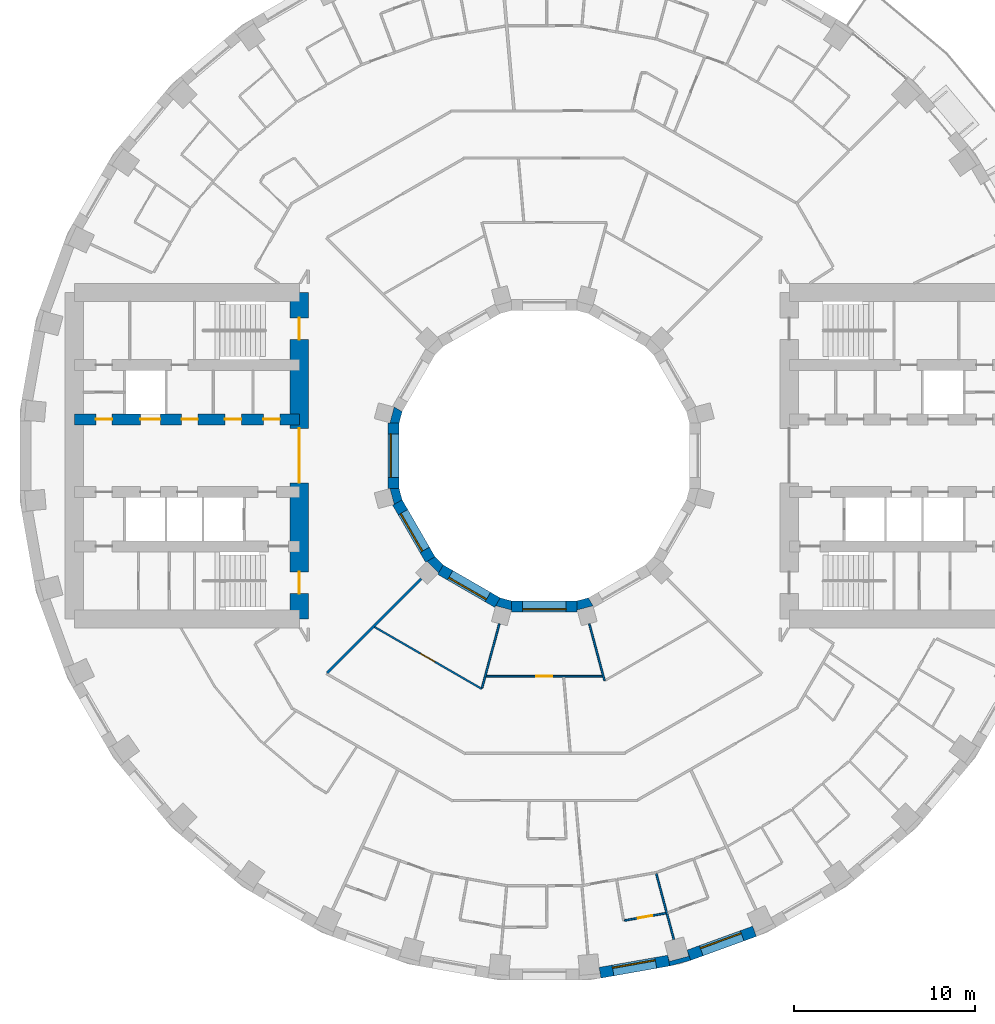
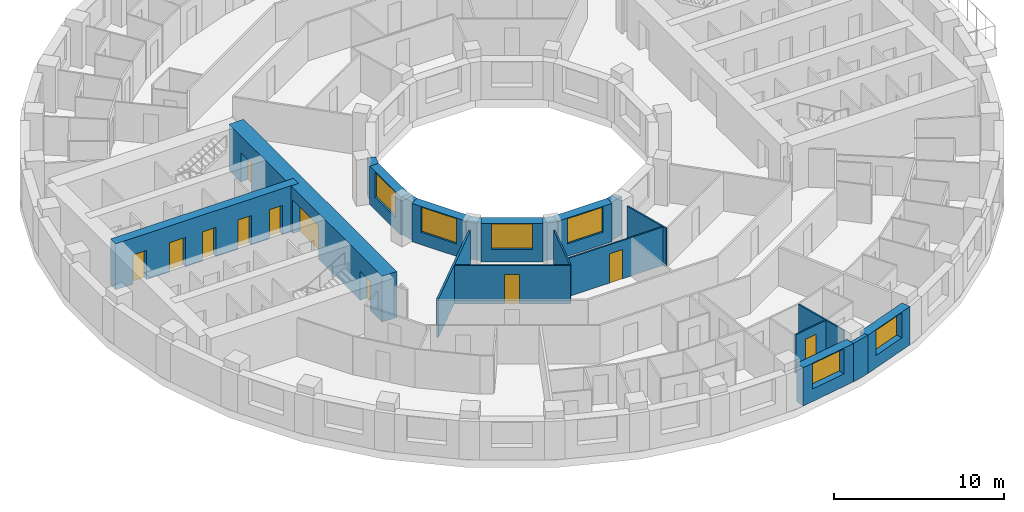
# One storey, part 6 of 15: 21 walls, 11 doors, 6 windows, 17 openings.
"""IFC4 building model written with IfcOpenShell, lengths in metres."""

import ifcopenshell
import ifcopenshell.guid

model = None  # the IFC model being written
_history = None  # IfcOwnerHistory: only IFC2X3 demands one
_inside = {}  # id of a spatial element -> (the spatial element, [elements in it])
_under = {}  # id of a project, library or spatial element -> (it, [spatial elements below it])
_declared = {}  # id of a project -> (the project, [libraries it declares])
_typed = {}  # id of a type object -> (the type object, [elements of that type])
_made_of = {}  # id of a material, layer set ... -> (it, [elements and type objects made of it])


def new_model(schema):
    """Start an empty IFC model of exactly this schema.

    Asked for "IFC4X3", IfcOpenShell would pick the latest addendum, in which some entities
    have other attributes; the version numbers below select the first issue.
    IFC2X3 requires an IfcOwnerHistory on every rooted entity: one is made here for all.
    """
    global model, _history
    if schema == "IFC4X3":
        model = ifcopenshell.file(schema_version=(4, 3, 0, 0))
    else:
        model = ifcopenshell.file(schema=schema)
    _inside.clear()
    _under.clear()
    _declared.clear()
    _typed.clear()
    _made_of.clear()
    _history = None
    if model.schema == "IFC2X3":
        org = make("IfcOrganization", Name="unknown")
        user = make(
            "IfcPersonAndOrganization",
            ThePerson=make("IfcPerson", FamilyName="unknown"),
            TheOrganization=org,
        )
        app = make(
            "IfcApplication",
            ApplicationDeveloper=org,
            Version="unknown",
            ApplicationFullName="unknown",
            ApplicationIdentifier="unknown",
        )
        _history = make(
            "IfcOwnerHistory",
            OwningUser=user,
            OwningApplication=app,
            ChangeAction="ADDED",
            CreationDate=0,
        )
    return model


def make(cls, **values):
    """One entity of the class cls with the attributes given. An attribute that is None is left unset."""
    return model.create_entity(
        cls, **{name: value for name, value in values.items() if value is not None}
    )


def rooted(cls, **values):
    """An entity with a GlobalId (a new one), such as an element, a storey or a relation."""
    return make(cls, GlobalId=ifcopenshell.guid.new(), OwnerHistory=_history, **values)


def si_unit(unit_type, name, prefix=None):
    """IfcSIUnit, for example si_unit("LENGTHUNIT", "METRE", prefix="MILLI")."""
    return make("IfcSIUnit", UnitType=unit_type, Prefix=prefix, Name=name)


def assignment(units):
    """IfcUnitAssignment: the units of a project."""
    return None if units is None else make("IfcUnitAssignment", Units=units)


def point(xyz):
    """IfcCartesianPoint."""
    return None if xyz is None else make("IfcCartesianPoint", Coordinates=xyz)


def direction(xyz):
    """IfcDirection."""
    return None if xyz is None else make("IfcDirection", DirectionRatios=xyz)


def frame(location, z_axis=None, x_axis=None):
    """IfcAxis2Placement3D, a coordinate frame: its origin and axes. An axis left out is left unset."""
    return make(
        "IfcAxis2Placement3D",
        Location=point(location),
        Axis=direction(z_axis),
        RefDirection=direction(x_axis),
    )


def frame_2d(location, x_axis=None):
    """IfcAxis2Placement2D, a coordinate frame in the plane: its origin and x axis."""
    return make(
        "IfcAxis2Placement2D", Location=point(location), RefDirection=direction(x_axis)
    )


def origin():
    """The frame at (0, 0, 0) with its axes left unset."""
    return frame((0.0, 0.0, 0.0))


def place(relative_to, where):
    """IfcLocalPlacement: puts the frame where relative to a parent placement (None: the world)."""
    return make(
        "IfcLocalPlacement", PlacementRelTo=relative_to, RelativePlacement=where
    )


def context(
    kind, dimensions, precision=None, world=None, true_north=None, identifier=None
):
    """IfcGeometricRepresentationContext, for example the 3D "Model" context."""
    return make(
        "IfcGeometricRepresentationContext",
        ContextIdentifier=identifier,
        ContextType=kind,
        CoordinateSpaceDimension=dimensions,
        Precision=precision,
        WorldCoordinateSystem=world,
        TrueNorth=true_north,
    )


def subcontext(parent, identifier, kind, view, scale=None):
    """IfcGeometricRepresentationSubContext, for example "Body" below "Model"."""
    return make(
        "IfcGeometricRepresentationSubContext",
        ContextIdentifier=identifier,
        ContextType=kind,
        ParentContext=parent,
        TargetScale=scale,
        TargetView=view,
    )


def project(units=None, contexts=None):
    """IfcProject with its units and contexts."""
    return rooted(
        "IfcProject",
        Name="project",
        RepresentationContexts=contexts,
        UnitsInContext=assignment(units),
    )


def spatial(cls, under=None, at=None, **own):
    """A site, building, storey or space (cls), placed at a placement, below another one or the project."""
    s = rooted(cls, ObjectPlacement=at, **own)
    if under is not None:
        _under.setdefault(under.id(), (under, []))[1].append(s)
    return s


def polyline(points):
    """IfcPolyline through the points."""
    return make("IfcPolyline", Points=[point(p) for p in points])


def profile(cls, at=None, kind="AREA", **sizes):
    """A parametric profile (cls). Its sizes go by their IFC names, for example OverallWidth=200.0."""
    return make(cls, ProfileType=kind, Position=at, **sizes)


def rectangle(**sizes):
    """IfcRectangleProfileDef."""
    return profile("IfcRectangleProfileDef", **sizes)


def outline(outer, holes=None, kind="AREA"):
    """IfcArbitraryClosedProfileDef: a profile drawn as a closed curve; with holes, ...WithVoids."""
    if holes is None:
        return make("IfcArbitraryClosedProfileDef", ProfileType=kind, OuterCurve=outer)
    return make(
        "IfcArbitraryProfileDefWithVoids",
        ProfileType=kind,
        OuterCurve=outer,
        InnerCurves=holes,
    )


def extrude(swept, where, along, depth):
    """IfcExtrudedAreaSolid: the profile swept, set in the frame where, extruded along a direction by depth."""
    return make(
        "IfcExtrudedAreaSolid",
        SweptArea=swept,
        Position=where,
        ExtrudedDirection=direction(along),
        Depth=depth,
    )


def shape(context_of_items, identifier, shape_type, items):
    """IfcShapeRepresentation: the items that make up one representation, for example the "Body"."""
    return make(
        "IfcShapeRepresentation",
        ContextOfItems=context_of_items,
        RepresentationIdentifier=identifier,
        RepresentationType=shape_type,
        Items=items,
    )


def material(Name=None, Category=None):
    """IfcMaterial."""
    return make("IfcMaterial", Name=Name, Category=Category)


def layer(
    of_material, thickness, ventilated=None, Name=None, Category=None, Priority=None
):
    """IfcMaterialLayer: one layer of a wall or slab, of a material (None: an air gap)."""
    return make(
        "IfcMaterialLayer",
        Material=of_material,
        LayerThickness=thickness,
        IsVentilated=ventilated,
        Name=Name,
        Category=Category,
        Priority=Priority,
    )


def layer_set(layers, Name=None):
    """IfcMaterialLayerSet."""
    return make("IfcMaterialLayerSet", MaterialLayers=layers, LayerSetName=Name)


def made_of(thing, what):
    """Note that an element or type object is made of a material, layer set ...; save() writes the relation."""
    if what is not None:
        _made_of.setdefault(what.id(), (what, []))[1].append(thing)
    return thing


def type_object(cls, material=None, **own):
    """A type object (cls), such as IfcWallType, which elements share."""
    return made_of(rooted(cls, **own), material)


def element(
    cls,
    number,
    at=None,
    inside=None,
    cuts=None,
    type_object=None,
    material=None,
    context=None,
    identifier="Body",
    shape_type=None,
    held_by="IfcProductDefinitionShape",
    body=None,
    shapes=None,
    **own,
):
    """One element of the class cls, such as IfcWall. Its Tag is "e" and its number.

    at: its placement. inside: the storey or other place that contains it. cuts: it is an
    opening in that element (IfcRelVoidsElement). A single representation is given by context,
    identifier, shape_type and body (its items); several are given by shapes. held_by: the class
    of the entity that holds the representations. save() writes the other relations.
    """
    e = rooted(cls, Tag="e%d" % number, ObjectPlacement=at, **own)
    if body is not None:
        shapes = [shape(context, identifier, shape_type, body)]
    if shapes is not None:
        e.Representation = make(held_by, Representations=shapes)
    if inside is not None:
        _inside.setdefault(inside.id(), (inside, []))[1].append(e)
    if cuts is not None:
        rooted(
            "IfcRelVoidsElement", RelatingBuildingElement=cuts, RelatedOpeningElement=e
        )
    if type_object is not None:
        _typed.setdefault(type_object.id(), (type_object, []))[1].append(e)
    return made_of(e, material)


def fill(opening, filler):
    """IfcRelFillsElement: the door or window that sits in an opening."""
    return rooted(
        "IfcRelFillsElement",
        RelatingOpeningElement=opening,
        RelatedBuildingElement=filler,
    )


def aggregate(whole, parts):
    """IfcRelAggregates: a whole, such as a stair, and the parts it consists of."""
    return rooted("IfcRelAggregates", RelatingObject=whole, RelatedObjects=parts)


def save(model, path):
    """Write the relations noted so far, then the file.

    IfcRelAggregates (storeys below a building ...), IfcRelContainedInSpatialStructure (elements
    in a storey), IfcRelDefinesByType, IfcRelAssociatesMaterial and IfcRelDeclares: one each for
    every whole, place, type object, material and project.
    """
    for whole, parts in _under.values():
        aggregate(whole, parts)
    for where, things in _inside.values():
        rooted(
            "IfcRelContainedInSpatialStructure",
            RelatedElements=things,
            RelatingStructure=where,
        )
    for kind, things in _typed.values():
        rooted("IfcRelDefinesByType", RelatedObjects=things, RelatingType=kind)
    for what, things in _made_of.values():
        rooted("IfcRelAssociatesMaterial", RelatedObjects=things, RelatingMaterial=what)
    for by, libraries in _declared.values():
        rooted("IfcRelDeclares", RelatingContext=by, RelatedDefinitions=libraries)
    model.write(path)


model = new_model("IFC4")

# Units and contexts
model_context = context("Model", 3, precision=1e-05, world=origin(), true_north=direction((0.0, 1.0)))
body_context = subcontext(model_context, "Body", "Model", "MODEL_VIEW")
ifc_project = project(units=[si_unit("LENGTHUNIT", "METRE"), si_unit("AREAUNIT", "SQUARE_METRE"), si_unit("VOLUMEUNIT", "CUBIC_METRE"), si_unit("PLANEANGLEUNIT", "RADIAN"), si_unit("MASSUNIT", "GRAM", prefix="KILO")], contexts=[model_context])

# Site, building, storey
site_placement = place(None, origin())
site = spatial("IfcSite", under=ifc_project, at=site_placement, CompositionType="ELEMENT")
building_placement = place(site_placement, origin())
building = spatial("IfcBuilding", under=site, at=building_placement, Name="Saqina Gate Tower", CompositionType="ELEMENT")
storey_placement = place(building_placement, frame((0.0, 0.0, 56.0)))
storey = spatial("IfcBuildingStorey", under=building, at=storey_placement, Name="L15", CompositionType="ELEMENT", Elevation=56.0)

# Wall
ifc_material_1 = material(Name="Brick masonry (red)", Category="masonry")
wall_type_1 = type_object("IfcWallType", Name="BRICK PIER COPING RED", PredefinedType="SOLIDWALL", material=ifc_material_1)
wall_1_placement = place(storey_placement, origin())
element("IfcWall", 1, at=wall_1_placement, inside=storey, type_object=wall_type_1, Name="Pier cap L15 column 29", PredefinedType="SOLIDWALL", context=body_context, shape_type="SweptSolid", body=[
    extrude(outline(polyline([(6.910400390625, -28.11669921875), (8.073974609375, -27.80517578125), (7.86865234375, -27.2412109375), (7.95947265625, -27.57958984375), (6.896728515625, -27.864501953125), (6.80615234375, -27.52587890625), (6.910400390625, -28.11669921875)])), origin(), (0.0, 0.0, 1.0), 2.75),
])

# Wall, opening, window
ifc_material_2 = material(Name="Brick masonry (red)", Category="masonry")
ifc_layer_1 = layer(ifc_material_2, 0.60009765625)
ifc_layer_set_1 = layer_set([ifc_layer_1], Name="FW-BRICK-RED")
wall_type_2 = type_object("IfcWallType", Name="FW-BRICK-RED", PredefinedType="SOLIDWALL", material=ifc_layer_set_1)
wall_2_placement = place(storey_placement, frame((3.07080078125, -28.4892578125, 0.0), z_axis=(0.0, 0.0, 1.0), x_axis=(0.984800809218, 0.173687553279, 0.0)))
wall_2 = element("IfcWall", 2, at=wall_2_placement, inside=storey, type_object=wall_type_2, Name="Facade wall L15 facet 28", PredefinedType="SOLIDWALL", context=body_context, shape_type="SweptSolid", body=[
    extrude(rectangle(XDim=3.845703125, YDim=0.60009765625, at=frame_2d((1.9228515625, 0.0))), origin(), (0.0, 0.0, 1.0), 2.75),
])
opening_1_placement = place(wall_2_placement, frame((0.722900390625, 0.0, 0.89990234375)))
opening_1 = element("IfcOpeningElement", 3, at=opening_1_placement, cuts=wall_2, Name="Opening G04-W18", PredefinedType="OPENING", context=body_context, shape_type="SweptSolid", body=[
    extrude(rectangle(XDim=2.39990234375, YDim=1.800048828125, at=frame_2d((1.199951171875, 0.89990234375))), frame((0.0, 0.31201171875, 0.0), z_axis=(0.0, -1.0, 0.0), x_axis=(1.0, 0.0, 0.0)), (0.0, 0.0, 1.0), 0.6240234375),
])
ifc_material_3 = material(Name="Aluminium glazing", Category="aluminium")
window_type_1 = type_object("IfcWindowType", Name="WN-A", PartitioningType="SINGLE_PANEL", PredefinedType="WINDOW", material=ifc_material_3)
window_1_placement = place(opening_1_placement, origin())
window_1 = element("IfcWindow", 4, at=window_1_placement, inside=storey, type_object=window_type_1, Name="Window L15 facet 28", OverallHeight=1.800048828125, OverallWidth=2.39990234375, PartitioningType="SINGLE_PANEL", PredefinedType="WINDOW", context=body_context, shape_type="SweptSolid", body=[
    extrude(rectangle(XDim=2.39990234375, YDim=1.800048828125, at=frame_2d((1.199951171875, 0.89990234375))), frame((0.0, 0.179931640625, 0.0), z_axis=(0.0, -1.0, 0.0), x_axis=(1.0, 0.0, 0.0)), (0.0, 0.0, 1.0), 0.06005859375),
])
fill(opening_1, window_1)

wall_3_placement = place(storey_placement, frame((7.97119140625, -27.523193359375, 0.0), z_axis=(0.0, 0.0, 1.0), x_axis=(0.939689588564, 0.342028474173, 0.0)))
wall_3 = element("IfcWall", 5, at=wall_3_placement, inside=storey, type_object=wall_type_2, Name="Facade wall L15 facet 29", PredefinedType="SOLIDWALL", context=body_context, shape_type="SweptSolid", body=[
    extrude(rectangle(XDim=3.845947265625, YDim=0.60009765625, at=frame_2d((1.9228515625, 0.0))), origin(), (0.0, 0.0, 1.0), 2.75),
])
opening_2_placement = place(wall_3_placement, frame((0.722900390625, 0.0, 0.89990234375)))
opening_2 = element("IfcOpeningElement", 6, at=opening_2_placement, cuts=wall_3, Name="Opening G04-W19", PredefinedType="OPENING", context=body_context, shape_type="SweptSolid", body=[
    extrude(rectangle(XDim=2.39990234375, YDim=1.800048828125, at=frame_2d((1.199951171875, 0.89990234375))), frame((0.0, 0.31201171875, 0.0), z_axis=(0.0, -1.0, 0.0), x_axis=(1.0, 0.0, 0.0)), (0.0, 0.0, 1.0), 0.6240234375),
])
window_2_placement = place(opening_2_placement, origin())
window_2 = element("IfcWindow", 7, at=window_2_placement, inside=storey, type_object=window_type_1, Name="Window L15 facet 29", OverallHeight=1.800048828125, OverallWidth=2.39990234375, PartitioningType="SINGLE_PANEL", PredefinedType="WINDOW", context=body_context, shape_type="SweptSolid", body=[
    extrude(rectangle(XDim=2.39990234375, YDim=1.800048828125, at=frame_2d((1.199951171875, 0.89990234375))), frame((0.0, 0.179931640625, 0.0), z_axis=(0.0, -1.0, 0.0), x_axis=(1.0, 0.0, 0.0)), (0.0, 0.0, 1.0), 0.06005859375),
])
fill(opening_2, window_2)

ifc_material_4 = material(Name="Glazed ceramic tile", Category="ceramic")
ifc_layer_2 = layer(ifc_material_4, 0.60009765625)
ifc_layer_set_2 = layer_set([ifc_layer_2], Name="IW-TILE")
wall_type_3 = type_object("IfcWallType", Name="IW-TILE", PredefinedType="SOLIDWALL", material=ifc_layer_set_2)
wall_4_placement = place(storey_placement, frame((-8.300048828125, 1.8125, 0.0), z_axis=(0.0, 0.0, 1.0), x_axis=(0.0, -1.0, 0.0)))
wall_4 = element("IfcWall", 8, at=wall_4_placement, inside=storey, type_object=wall_type_3, Name="Well wall L15 facet 6", PredefinedType="SOLIDWALL", context=body_context, shape_type="SweptSolid", body=[
    extrude(rectangle(XDim=3.625, YDim=0.60009765625, at=frame_2d((1.8125, 0.0))), origin(), (0.0, 0.0, 1.0), 2.75),
])
opening_3_placement = place(wall_4_placement, frame((0.612548828125, 0.0, 0.89990234375)))
opening_3 = element("IfcOpeningElement", 9, at=opening_3_placement, cuts=wall_4, Name="Opening G04-W29", PredefinedType="OPENING", context=body_context, shape_type="SweptSolid", body=[
    extrude(rectangle(XDim=2.39990234375, YDim=1.800048828125, at=frame_2d((1.199951171875, 0.89990234375))), frame((0.0, 0.31201171875, 0.0), z_axis=(0.0, -1.0, 0.0), x_axis=(1.0, 0.0, 0.0)), (0.0, 0.0, 1.0), 0.6240234375),
])
ifc_material_5 = material(Name="Aluminium glazing", Category="aluminium")
window_type_2 = type_object("IfcWindowType", Name="WN-W", PartitioningType="SINGLE_PANEL", PredefinedType="WINDOW", material=ifc_material_5)
window_3_placement = place(opening_3_placement, origin())
window_3 = element("IfcWindow", 10, at=window_3_placement, inside=storey, type_object=window_type_2, Name="Well window L15 facet 6", OverallHeight=1.800048828125, OverallWidth=2.39990234375, PartitioningType="SINGLE_PANEL", PredefinedType="WINDOW", context=body_context, shape_type="SweptSolid", body=[
    extrude(rectangle(XDim=2.39990234375, YDim=1.800048828125, at=frame_2d((1.199951171875, 0.89990234375))), frame((0.0, -0.119873046875, 0.0), z_axis=(0.0, -1.0, 0.0), x_axis=(1.0, 0.0, 0.0)), (0.0, 0.0, 1.0), 0.06005859375),
])
fill(opening_3, window_3)

wall_5_placement = place(storey_placement, frame((-8.09423828125, -2.580322265625, 0.0), z_axis=(0.0, 0.0, 1.0), x_axis=(0.499992569217, -0.866029693906, 0.0)))
wall_5 = element("IfcWall", 11, at=wall_5_placement, inside=storey, type_object=wall_type_3, Name="Well wall L15 facet 7", PredefinedType="SOLIDWALL", context=body_context, shape_type="SweptSolid", body=[
    extrude(rectangle(XDim=3.625, YDim=0.60009765625, at=frame_2d((1.8125, 0.0))), origin(), (0.0, 0.0, 1.0), 2.75),
])
opening_4_placement = place(wall_5_placement, frame((0.612548828125, 0.0, 0.89990234375)))
opening_4 = element("IfcOpeningElement", 12, at=opening_4_placement, cuts=wall_5, Name="Opening G04-W30", PredefinedType="OPENING", context=body_context, shape_type="SweptSolid", body=[
    extrude(rectangle(XDim=2.39990234375, YDim=1.800048828125, at=frame_2d((1.199951171875, 0.89990234375))), frame((0.0, 0.31201171875, 0.0), z_axis=(0.0, -1.0, 0.0), x_axis=(1.0, 0.0, 0.0)), (0.0, 0.0, 1.0), 0.6240234375),
])
window_4_placement = place(opening_4_placement, origin())
window_4 = element("IfcWindow", 13, at=window_4_placement, inside=storey, type_object=window_type_2, Name="Well window L15 facet 7", OverallHeight=1.800048828125, OverallWidth=2.39990234375, PartitioningType="SINGLE_PANEL", PredefinedType="WINDOW", context=body_context, shape_type="SweptSolid", body=[
    extrude(rectangle(XDim=2.39990234375, YDim=1.800048828125, at=frame_2d((1.199951171875, 0.89990234375))), frame((0.0, -0.119873046875, 0.0), z_axis=(0.0, -1.0, 0.0), x_axis=(1.0, 0.0, 0.0)), (0.0, 0.0, 1.0), 0.06005859375),
])
fill(opening_4, window_4)

wall_6_placement = place(storey_placement, frame((-5.7197265625, -6.28173828125, 0.0), z_axis=(0.0, 0.0, 1.0), x_axis=(0.866029693906, -0.499992569217, 0.0)))
wall_6 = element("IfcWall", 14, at=wall_6_placement, inside=storey, type_object=wall_type_3, Name="Well wall L15 facet 8", PredefinedType="SOLIDWALL", context=body_context, shape_type="SweptSolid", body=[
    extrude(rectangle(XDim=3.625, YDim=0.60009765625, at=frame_2d((1.8125, 0.0))), origin(), (0.0, 0.0, 1.0), 2.75),
])
opening_5_placement = place(wall_6_placement, frame((0.612548828125, 0.0, 0.89990234375)))
opening_5 = element("IfcOpeningElement", 15, at=opening_5_placement, cuts=wall_6, Name="Opening G04-W31", PredefinedType="OPENING", context=body_context, shape_type="SweptSolid", body=[
    extrude(rectangle(XDim=2.39990234375, YDim=1.800048828125, at=frame_2d((1.199951171875, 0.89990234375))), frame((0.0, 0.31201171875, 0.0), z_axis=(0.0, -1.0, 0.0), x_axis=(1.0, 0.0, 0.0)), (0.0, 0.0, 1.0), 0.6240234375),
])
window_5_placement = place(opening_5_placement, origin())
window_5 = element("IfcWindow", 16, at=window_5_placement, inside=storey, type_object=window_type_2, Name="Well window L15 facet 8", OverallHeight=1.800048828125, OverallWidth=2.39990234375, PartitioningType="SINGLE_PANEL", PredefinedType="WINDOW", context=body_context, shape_type="SweptSolid", body=[
    extrude(rectangle(XDim=2.39990234375, YDim=1.800048828125, at=frame_2d((1.199951171875, 0.89990234375))), frame((0.0, -0.119873046875, 0.0), z_axis=(0.0, -1.0, 0.0), x_axis=(1.0, 0.0, 0.0)), (0.0, 0.0, 1.0), 0.06005859375),
])
fill(opening_5, window_5)

wall_7_placement = place(storey_placement, frame((-1.8125, -8.300048828125, 0.0), z_axis=(0.0, 0.0, 1.0), x_axis=(1.0, 0.0, 0.0)))
wall_7 = element("IfcWall", 17, at=wall_7_placement, inside=storey, type_object=wall_type_3, Name="Well wall L15 facet 9", PredefinedType="SOLIDWALL", context=body_context, shape_type="SweptSolid", body=[
    extrude(rectangle(XDim=3.625, YDim=0.60009765625, at=frame_2d((1.8125, 0.0))), origin(), (0.0, 0.0, 1.0), 2.75),
])
opening_6_placement = place(wall_7_placement, frame((0.612548828125, 0.0, 0.89990234375)))
opening_6 = element("IfcOpeningElement", 18, at=opening_6_placement, cuts=wall_7, Name="Opening G04-W32", PredefinedType="OPENING", context=body_context, shape_type="SweptSolid", body=[
    extrude(rectangle(XDim=2.39990234375, YDim=1.800048828125, at=frame_2d((1.199951171875, 0.89990234375))), frame((0.0, 0.31201171875, 0.0), z_axis=(0.0, -1.0, 0.0), x_axis=(1.0, 0.0, 0.0)), (0.0, 0.0, 1.0), 0.6240234375),
])
window_6_placement = place(opening_6_placement, origin())
window_6 = element("IfcWindow", 19, at=window_6_placement, inside=storey, type_object=window_type_2, Name="Well window L15 facet 9", OverallHeight=1.800048828125, OverallWidth=2.39990234375, PartitioningType="SINGLE_PANEL", PredefinedType="WINDOW", context=body_context, shape_type="SweptSolid", body=[
    extrude(rectangle(XDim=2.39990234375, YDim=1.800048828125, at=frame_2d((1.199951171875, 0.89990234375))), frame((0.0, -0.119873046875, 0.0), z_axis=(0.0, -1.0, 0.0), x_axis=(1.0, 0.0, 0.0)), (0.0, 0.0, 1.0), 0.06005859375),
])
fill(opening_6, window_6)

# Walls
ifc_material_6 = material(Name="Gypsum board on steel studs, 100 mm", Category="steel")
ifc_layer_3 = layer(ifc_material_6, 0.10009765625)
ifc_layer_set_3 = layer_set([ifc_layer_3], Name="PARTITION 100")
wall_type_4 = type_object("IfcWallType", Name="PARTITION 100", PredefinedType="PARTITIONING", material=ifc_layer_set_3)
wall_8_placement = place(storey_placement, frame((6.169189453125, -23.01806640625, 0.0), z_axis=(0.0, 0.0, 1.0), x_axis=(0.258074907141, -0.966124910301, 0.0)))
element("IfcWall", 20, at=wall_8_placement, inside=storey, type_object=wall_type_4, Name="PARTITION PW3-11", PredefinedType="PARTITIONING", context=body_context, shape_type="SweptSolid", body=[
    extrude(rectangle(XDim=3.759521484375, YDim=0.10009765625, at=frame_2d((1.8798828125, 0.0))), origin(), (0.0, 0.0, 1.0), 2.75),
])
wall_9_placement = place(storey_placement, frame((2.48291015625, -9.265380859375, 0.0), z_axis=(0.0, 0.0, 1.0), x_axis=(0.258716029799, -0.965953423269, 0.0)))
element("IfcWall", 21, at=wall_9_placement, inside=storey, type_object=wall_type_4, Name="PARTITION PW3-12", PredefinedType="PARTITIONING", context=body_context, shape_type="SweptSolid", body=[
    extrude(rectangle(XDim=3.245361328125, YDim=0.10009765625, at=frame_2d((1.62255859375, 0.0))), origin(), (0.0, 0.0, 1.0), 2.75),
])

# Wall, opening, door
wall_10_placement = place(storey_placement, frame((-9.352783203125, -9.438232421875, 0.0), z_axis=(0.0, 0.0, 1.0), x_axis=(0.866030680601, -0.499990860175, 0.0)))
wall_10 = element("IfcWall", 22, at=wall_10_placement, inside=storey, type_object=wall_type_4, Name="PARTITION PW3-40", PredefinedType="PARTITIONING", context=body_context, shape_type="SweptSolid", body=[
    extrude(rectangle(XDim=6.823974609375, YDim=0.10009765625, at=frame_2d((3.412109375, 0.0))), origin(), (0.0, 0.0, 1.0), 2.75),
])
opening_7_placement = place(wall_10_placement, frame((2.9306640625, 0.0, 0.0)))
opening_7 = element("IfcOpeningElement", 23, at=opening_7_placement, cuts=wall_10, Name="Opening G04-D40", PredefinedType="OPENING", context=body_context, shape_type="SweptSolid", body=[
    extrude(rectangle(XDim=0.89990234375, YDim=2.10009765625, at=frame_2d((0.449951171875, 1.050048828125))), frame((0.0, 0.06201171875, 0.0), z_axis=(0.0, -1.0, 0.0), x_axis=(1.0, 0.0, 0.0)), (0.0, 0.0, 1.0), 0.1240234375),
])
ifc_material_7 = material(Name="Timber door leaf, 900 mm", Category="wood")
door_type_1 = type_object("IfcDoorType", Name="DOOR 900 TIMBER", OperationType="SINGLE_SWING_LEFT", PredefinedType="DOOR", material=ifc_material_7)
door_1_placement = place(opening_7_placement, frame((0.89990234375, 0.0, 0.0), z_axis=(0.0, 0.0, 1.0), x_axis=(-1.0, 0.0, 0.0)))
door_1 = element("IfcDoor", 24, at=door_1_placement, inside=storey, type_object=door_type_1, Name="DOOR G04-D40", OperationType="SINGLE_SWING_RIGHT", OverallHeight=2.10009765625, OverallWidth=0.89990234375, PredefinedType="DOOR", context=body_context, shape_type="SweptSolid", body=[
    extrude(rectangle(XDim=0.89990234375, YDim=2.10009765625, at=frame_2d((0.449951171875, 1.050048828125))), frame((0.0, 0.02490234375, 0.0), z_axis=(0.0, -1.0, 0.0), x_axis=(1.0, 0.0, 0.0)), (0.0, 0.0, 1.0), 0.050048828125),
])
fill(opening_7, door_1)

wall_11_placement = place(storey_placement, frame((-3.205078125, -12.14990234375, 0.0), z_axis=(0.0, 0.0, 1.0), x_axis=(1.0, 0.0, 0.0)))
wall_11 = element("IfcWall", 25, at=wall_11_placement, inside=storey, type_object=wall_type_4, Name="PARTITION PW3-58", PredefinedType="PARTITIONING", context=body_context, shape_type="SweptSolid", body=[
    extrude(rectangle(XDim=6.4111328125, YDim=0.10009765625, at=frame_2d((3.20556640625, 0.0))), origin(), (0.0, 0.0, 1.0), 2.75),
])
opening_8_placement = place(wall_11_placement, frame((2.755615234375, 0.0, 0.0)))
opening_8 = element("IfcOpeningElement", 26, at=opening_8_placement, cuts=wall_11, Name="Opening G04-D48", PredefinedType="OPENING", context=body_context, shape_type="SweptSolid", body=[
    extrude(rectangle(XDim=0.89990234375, YDim=2.10009765625, at=frame_2d((0.449951171875, 1.050048828125))), frame((0.0, 0.06201171875, 0.0), z_axis=(0.0, -1.0, 0.0), x_axis=(1.0, 0.0, 0.0)), (0.0, 0.0, 1.0), 0.1240234375),
])
door_2_placement = place(opening_8_placement, frame((0.89990234375, 0.0, 0.0), z_axis=(0.0, 0.0, 1.0), x_axis=(-1.0, 0.0, 0.0)))
door_2 = element("IfcDoor", 27, at=door_2_placement, inside=storey, type_object=door_type_1, Name="DOOR G04-D48", OperationType="SINGLE_SWING_LEFT", OverallHeight=2.10009765625, OverallWidth=0.89990234375, PredefinedType="DOOR", context=body_context, shape_type="SweptSolid", body=[
    extrude(rectangle(XDim=0.89990234375, YDim=2.10009765625, at=frame_2d((0.449951171875, 1.050048828125))), frame((0.0, 0.02490234375, 0.0), z_axis=(0.0, -1.0, 0.0), x_axis=(1.0, 0.0, 0.0)), (0.0, 0.0, 1.0), 0.050048828125),
])
fill(opening_8, door_2)

wall_12_placement = place(storey_placement, frame((4.419189453125, -25.611328125, 0.0), z_axis=(0.0, 0.0, 1.0), x_axis=(0.984814280308, 0.173611155466, 0.0)))
wall_12 = element("IfcWall", 28, at=wall_12_placement, inside=storey, type_object=wall_type_4, Name="PARTITION PW3-63", PredefinedType="PARTITIONING", context=body_context, shape_type="SweptSolid", body=[
    extrude(rectangle(XDim=2.31884765625, YDim=0.10009765625, at=frame_2d((1.159423828125, 0.0))), origin(), (0.0, 0.0, 1.0), 2.75),
])
opening_9_placement = place(wall_12_placement, frame((0.759521484375, 0.0, 0.0)))
opening_9 = element("IfcOpeningElement", 29, at=opening_9_placement, cuts=wall_12, Name="Opening G04-D53", PredefinedType="OPENING", context=body_context, shape_type="SweptSolid", body=[
    extrude(rectangle(XDim=0.800048828125, YDim=2.10009765625, at=frame_2d((0.39990234375, 1.050048828125))), frame((0.0, 0.06201171875, 0.0), z_axis=(0.0, -1.0, 0.0), x_axis=(1.0, 0.0, 0.0)), (0.0, 0.0, 1.0), 0.1240234375),
])
ifc_material_8 = material(Name="Timber door leaf, 800 mm", Category="wood")
door_type_2 = type_object("IfcDoorType", Name="DOOR 800 TIMBER", OperationType="SINGLE_SWING_LEFT", PredefinedType="DOOR", material=ifc_material_8)
door_3_placement = place(opening_9_placement, frame((0.800048828125, 0.0, 0.0), z_axis=(0.0, 0.0, 1.0), x_axis=(-1.0, 0.0, 0.0)))
door_3 = element("IfcDoor", 30, at=door_3_placement, inside=storey, type_object=door_type_2, Name="DOOR G04-D53", OperationType="SINGLE_SWING_LEFT", OverallHeight=2.10009765625, OverallWidth=0.800048828125, PredefinedType="DOOR", context=body_context, shape_type="SweptSolid", body=[
    extrude(rectangle(XDim=0.800048828125, YDim=2.10009765625, at=frame_2d((0.39990234375, 1.050048828125))), frame((0.0, 0.02490234375, 0.0), z_axis=(0.0, -1.0, 0.0), x_axis=(1.0, 0.0, 0.0)), (0.0, 0.0, 1.0), 0.050048828125),
])
fill(opening_9, door_3)

# Walls
wall_13_placement = place(storey_placement, frame((-3.429931640625, -12.8017578125, 0.0), z_axis=(0.0, 0.0, 1.0), x_axis=(0.259334903776, 0.965787454714, 0.0)))
element("IfcWall", 31, at=wall_13_placement, inside=storey, type_object=wall_type_4, Name="PARTITION PW3-104", PredefinedType="PARTITIONING", context=body_context, shape_type="SweptSolid", body=[
    extrude(rectangle(XDim=3.6611328125, YDim=0.10009765625, at=frame_2d((1.83056640625, 0.0))), origin(), (0.0, 0.0, 1.0), 2.75),
])
ifc_material_9 = material(Name="Gypsum board on steel studs, 125 mm, fire rated", Category="steel")
ifc_layer_4 = layer(ifc_material_9, 0.125)
ifc_layer_set_4 = layer_set([ifc_layer_4], Name="PARTITION EI 30 125")
wall_type_5 = type_object("IfcWallType", Name="PARTITION EI 30 125", PredefinedType="PARTITIONING", material=ifc_layer_set_4)
wall_14_placement = place(storey_placement, frame((-11.9619140625, -11.9619140625, 0.0), z_axis=(0.0, 0.0, 1.0), x_axis=(0.707106781187, 0.707106781187, 0.0)))
element("IfcWall", 32, at=wall_14_placement, inside=storey, type_object=wall_type_5, Name="PARTITION PW1-41", PredefinedType="PARTITIONING", context=body_context, shape_type="SweptSolid", body=[
    extrude(rectangle(XDim=7.324462890625, YDim=0.125, at=frame_2d((3.662109375, 0.0))), origin(), (0.0, 0.0, 1.0), 2.75),
])

# Wall, openings, doors
ifc_material_10 = material(Name="Concrete C70/85", Category="concrete")
ifc_layer_5 = layer(ifc_material_10, 0.60009765625)
ifc_layer_set_5 = layer_set([ifc_layer_5], Name="Concrete C70/85")
wall_type_6 = type_object("IfcWallType", Name="STR-CORE WALL-A-I", PredefinedType="SHEAR", material=ifc_layer_set_5)
wall_15_placement = place(storey_placement, frame((-13.5, 2.0, 0.0), z_axis=(0.0, 0.0, 1.0), x_axis=(-1.0, 0.0, 0.0)))
wall_15 = element("IfcWall", 33, at=wall_15_placement, inside=storey, type_object=wall_type_6, Name="CORE WALL L15 W-L1", PredefinedType="SHEAR", context=body_context, shape_type="SweptSolid", body=[
    extrude(rectangle(XDim=12.39990234375, YDim=0.60009765625, at=frame_2d((6.199951171875, 0.0))), origin(), (0.0, 0.0, 1.0), 3.300048828125),
])
opening_10_placement = place(wall_15_placement, frame((7.64990234375, 0.0, 0.0)))
opening_10 = element("IfcOpeningElement", 34, at=opening_10_placement, cuts=wall_15, Name="Opening G04-LD5", PredefinedType="OPENING", context=body_context, shape_type="SweptSolid", body=[
    extrude(rectangle(XDim=1.10009765625, YDim=2.10009765625, at=frame_2d((0.550048828125, 1.050048828125))), frame((0.0, 0.31201171875, 0.0), z_axis=(0.0, -1.0, 0.0), x_axis=(1.0, 0.0, 0.0)), (0.0, 0.0, 1.0), 0.6240234375),
])
opening_11_placement = place(wall_15_placement, frame((1.075927734375, 0.0, 0.0)))
opening_11 = element("IfcOpeningElement", 35, at=opening_11_placement, cuts=wall_15, Name="Opening G04-D106", PredefinedType="OPENING", context=body_context, shape_type="SweptSolid", body=[
    extrude(rectangle(XDim=0.89990234375, YDim=2.10009765625, at=frame_2d((0.449951171875, 1.050048828125))), frame((0.0, 0.31201171875, 0.0), z_axis=(0.0, -1.0, 0.0), x_axis=(1.0, 0.0, 0.0)), (0.0, 0.0, 1.0), 0.6240234375),
])
opening_12_placement = place(wall_15_placement, frame((3.1962890625, 0.0, 0.0)))
opening_12 = element("IfcOpeningElement", 36, at=opening_12_placement, cuts=wall_15, Name="Opening G04-D107", PredefinedType="OPENING", context=body_context, shape_type="SweptSolid", body=[
    extrude(rectangle(XDim=0.89990234375, YDim=2.10009765625, at=frame_2d((0.449951171875, 1.050048828125))), frame((0.0, 0.31201171875, 0.0), z_axis=(0.0, -1.0, 0.0), x_axis=(1.0, 0.0, 0.0)), (0.0, 0.0, 1.0), 0.6240234375),
])
opening_13_placement = place(wall_15_placement, frame((5.59033203125, 0.0, 0.0)))
opening_13 = element("IfcOpeningElement", 37, at=opening_13_placement, cuts=wall_15, Name="Opening G04-D108", PredefinedType="OPENING", context=body_context, shape_type="SweptSolid", body=[
    extrude(rectangle(XDim=0.89990234375, YDim=2.10009765625, at=frame_2d((0.449951171875, 1.050048828125))), frame((0.0, 0.31201171875, 0.0), z_axis=(0.0, -1.0, 0.0), x_axis=(1.0, 0.0, 0.0)), (0.0, 0.0, 1.0), 0.6240234375),
])
opening_14_placement = place(wall_15_placement, frame((10.31005859375, 0.0, 0.0)))
opening_14 = element("IfcOpeningElement", 38, at=opening_14_placement, cuts=wall_15, Name="Opening G04-D109", PredefinedType="OPENING", context=body_context, shape_type="SweptSolid", body=[
    extrude(rectangle(XDim=0.89990234375, YDim=2.10009765625, at=frame_2d((0.449951171875, 1.050048828125))), frame((0.0, 0.31201171875, 0.0), z_axis=(0.0, -1.0, 0.0), x_axis=(1.0, 0.0, 0.0)), (0.0, 0.0, 1.0), 0.6240234375),
])
ifc_material_11 = material(Name="Stainless steel", Category="steel")
door_type_3 = type_object("IfcDoorType", Name="LANDING DOOR", OperationType="DOUBLE_DOOR_SLIDING", PredefinedType="DOOR", material=ifc_material_11)
door_4_placement = place(opening_10_placement, origin())
door_4 = element("IfcDoor", 39, at=door_4_placement, inside=storey, type_object=door_type_3, Name="LANDING DOOR LR4", OperationType="DOUBLE_DOOR_SLIDING", OverallHeight=2.10009765625, OverallWidth=1.10009765625, PredefinedType="DOOR", context=body_context, shape_type="SweptSolid", body=[
    extrude(rectangle(XDim=1.10009765625, YDim=2.10009765625, at=frame_2d((0.550048828125, 1.050048828125))), frame((0.0, 0.02490234375, 0.0), z_axis=(0.0, -1.0, 0.0), x_axis=(1.0, 0.0, 0.0)), (0.0, 0.0, 1.0), 0.050048828125),
])
fill(opening_10, door_4)
ifc_material_12 = material(Name="Steel-framed fire door leaf, EI 60", Category="steel")
door_type_4 = type_object("IfcDoorType", Name="SERVICE ROOM DOOR 900", OperationType="SINGLE_SWING_LEFT", PredefinedType="DOOR", material=ifc_material_12)
door_5_placement = place(opening_11_placement, frame((0.89990234375, 0.0, 0.0), z_axis=(0.0, 0.0, 1.0), x_axis=(-1.0, 0.0, 0.0)))
door_5 = element("IfcDoor", 40, at=door_5_placement, inside=storey, type_object=door_type_4, Name="L15-CD-W17", OperationType="SINGLE_SWING_LEFT", OverallHeight=2.10009765625, OverallWidth=0.89990234375, PredefinedType="DOOR", context=body_context, shape_type="SweptSolid", body=[
    extrude(rectangle(XDim=0.89990234375, YDim=2.10009765625, at=frame_2d((0.449951171875, 1.050048828125))), frame((0.0, 0.02490234375, 0.0), z_axis=(0.0, -1.0, 0.0), x_axis=(1.0, 0.0, 0.0)), (0.0, 0.0, 1.0), 0.050048828125),
])
fill(opening_11, door_5)
door_6_placement = place(opening_12_placement, frame((0.89990234375, 0.0, 0.0), z_axis=(0.0, 0.0, 1.0), x_axis=(-1.0, 0.0, 0.0)))
door_6 = element("IfcDoor", 41, at=door_6_placement, inside=storey, type_object=door_type_4, Name="L15-CD-W18", OperationType="SINGLE_SWING_RIGHT", OverallHeight=2.10009765625, OverallWidth=0.89990234375, PredefinedType="DOOR", context=body_context, shape_type="SweptSolid", body=[
    extrude(rectangle(XDim=0.89990234375, YDim=2.10009765625, at=frame_2d((0.449951171875, 1.050048828125))), frame((0.0, 0.02490234375, 0.0), z_axis=(0.0, -1.0, 0.0), x_axis=(1.0, 0.0, 0.0)), (0.0, 0.0, 1.0), 0.050048828125),
])
fill(opening_12, door_6)
door_7_placement = place(opening_13_placement, frame((0.89990234375, 0.0, 0.0), z_axis=(0.0, 0.0, 1.0), x_axis=(-1.0, 0.0, 0.0)))
door_7 = element("IfcDoor", 42, at=door_7_placement, inside=storey, type_object=door_type_4, Name="L15-CD-W19", OperationType="SINGLE_SWING_RIGHT", OverallHeight=2.10009765625, OverallWidth=0.89990234375, PredefinedType="DOOR", context=body_context, shape_type="SweptSolid", body=[
    extrude(rectangle(XDim=0.89990234375, YDim=2.10009765625, at=frame_2d((0.449951171875, 1.050048828125))), frame((0.0, 0.02490234375, 0.0), z_axis=(0.0, -1.0, 0.0), x_axis=(1.0, 0.0, 0.0)), (0.0, 0.0, 1.0), 0.050048828125),
])
fill(opening_13, door_7)
door_8_placement = place(opening_14_placement, frame((0.89990234375, 0.0, 0.0), z_axis=(0.0, 0.0, 1.0), x_axis=(-1.0, 0.0, 0.0)))
door_8 = element("IfcDoor", 43, at=door_8_placement, inside=storey, type_object=door_type_4, Name="L15-CD-W20", OperationType="SINGLE_SWING_LEFT", OverallHeight=2.10009765625, OverallWidth=0.89990234375, PredefinedType="DOOR", context=body_context, shape_type="SweptSolid", body=[
    extrude(rectangle(XDim=0.89990234375, YDim=2.10009765625, at=frame_2d((0.449951171875, 1.050048828125))), frame((0.0, 0.02490234375, 0.0), z_axis=(0.0, -1.0, 0.0), x_axis=(1.0, 0.0, 0.0)), (0.0, 0.0, 1.0), 0.050048828125),
])
fill(opening_14, door_8)

ifc_material_13 = material(Name="Concrete C70/85", Category="concrete")
ifc_layer_6 = layer(ifc_material_13, 1.0)
ifc_layer_set_6 = layer_set([ifc_layer_6], Name="Concrete C70/85")
wall_type_7 = type_object("IfcWallType", Name="STR-CORE WALL-A-O", PredefinedType="SHEAR", material=ifc_layer_set_6)
wall_16_placement = place(storey_placement, frame((-13.5, -9.0, 0.0), z_axis=(0.0, 0.0, 1.0), x_axis=(0.0, 1.0, 0.0)))
wall_16 = element("IfcWall", 44, at=wall_16_placement, inside=storey, type_object=wall_type_7, Name="CORE WALL L15 W-W1", PredefinedType="SHEAR", context=body_context, shape_type="SweptSolid", body=[
    extrude(rectangle(XDim=18.0, YDim=1.0, at=frame_2d((9.0, 0.0))), origin(), (0.0, 0.0, 1.0), 3.300048828125),
])
opening_15_placement = place(wall_16_placement, frame((15.39990234375, 0.0, 0.0)))
opening_15 = element("IfcOpeningElement", 45, at=opening_15_placement, cuts=wall_16, Name="Opening G04-D119", PredefinedType="OPENING", context=body_context, shape_type="SweptSolid", body=[
    extrude(rectangle(XDim=1.199951171875, YDim=2.10009765625, at=frame_2d((0.60009765625, 1.050048828125))), frame((0.0, 0.511962890625, 0.0), z_axis=(0.0, -1.0, 0.0), x_axis=(1.0, 0.0, 0.0)), (0.0, 0.0, 1.0), 1.02392578125),
])
opening_16_placement = place(wall_16_placement, frame((1.39990234375, 0.0, 0.0)))
opening_16 = element("IfcOpeningElement", 46, at=opening_16_placement, cuts=wall_16, Name="Opening G04-D120", PredefinedType="OPENING", context=body_context, shape_type="SweptSolid", body=[
    extrude(rectangle(XDim=1.199951171875, YDim=2.10009765625, at=frame_2d((0.60009765625, 1.050048828125))), frame((0.0, 0.511962890625, 0.0), z_axis=(0.0, -1.0, 0.0), x_axis=(1.0, 0.0, 0.0)), (0.0, 0.0, 1.0), 1.02392578125),
])
opening_17_placement = place(wall_16_placement, frame((7.5, 0.0, 0.0)))
opening_17 = element("IfcOpeningElement", 47, at=opening_17_placement, cuts=wall_16, Name="Opening G04-D121", PredefinedType="OPENING", context=body_context, shape_type="SweptSolid", body=[
    extrude(rectangle(XDim=3.0, YDim=2.39990234375, at=frame_2d((1.5, 1.199951171875))), frame((0.0, 0.511962890625, 0.0), z_axis=(0.0, -1.0, 0.0), x_axis=(1.0, 0.0, 0.0)), (0.0, 0.0, 1.0), 1.02392578125),
])
ifc_material_14 = material(Name="Steel", Category="steel")
door_type_5 = type_object("IfcDoorType", Name="FIRE DOOR EI 60", OperationType="SINGLE_SWING_LEFT", PredefinedType="DOOR", material=ifc_material_14)
door_9_placement = place(opening_15_placement, origin())
door_9 = element("IfcDoor", 48, at=door_9_placement, inside=storey, type_object=door_type_5, Name="L15-CD-W30", OperationType="SINGLE_SWING_RIGHT", OverallHeight=2.10009765625, OverallWidth=1.199951171875, PredefinedType="DOOR", context=body_context, shape_type="SweptSolid", body=[
    extrude(rectangle(XDim=1.199951171875, YDim=2.10009765625, at=frame_2d((0.60009765625, 1.050048828125))), frame((0.0, 0.02490234375, 0.0), z_axis=(0.0, -1.0, 0.0), x_axis=(1.0, 0.0, 0.0)), (0.0, 0.0, 1.0), 0.050048828125),
])
fill(opening_15, door_9)
door_10_placement = place(opening_16_placement, origin())
door_10 = element("IfcDoor", 49, at=door_10_placement, inside=storey, type_object=door_type_5, Name="L15-CD-W31", OperationType="SINGLE_SWING_LEFT", OverallHeight=2.10009765625, OverallWidth=1.199951171875, PredefinedType="DOOR", context=body_context, shape_type="SweptSolid", body=[
    extrude(rectangle(XDim=1.199951171875, YDim=2.10009765625, at=frame_2d((0.60009765625, 1.050048828125))), frame((0.0, 0.02490234375, 0.0), z_axis=(0.0, -1.0, 0.0), x_axis=(1.0, 0.0, 0.0)), (0.0, 0.0, 1.0), 0.050048828125),
])
fill(opening_16, door_10)
ifc_material_15 = material(Name="Steel and fire-resisting glass", Category="steel")
door_type_6 = type_object("IfcDoorType", Name="LOBBY SCREEN DOOR", OperationType="DOUBLE_DOOR_SLIDING", PredefinedType="DOOR", material=ifc_material_15)
door_11_placement = place(opening_17_placement, origin())
door_11 = element("IfcDoor", 50, at=door_11_placement, inside=storey, type_object=door_type_6, Name="L15-CD-W32", OperationType="DOUBLE_DOOR_SLIDING", OverallHeight=2.39990234375, OverallWidth=3.0, PredefinedType="DOOR", context=body_context, shape_type="SweptSolid", body=[
    extrude(rectangle(XDim=3.0, YDim=2.39990234375, at=frame_2d((1.5, 1.199951171875))), frame((0.0, 0.02490234375, 0.0), z_axis=(0.0, -1.0, 0.0), x_axis=(1.0, 0.0, 0.0)), (0.0, 0.0, 1.0), 0.050048828125),
])
fill(opening_17, door_11)

# Walls
ifc_material_16 = material(Name="Glazed ceramic tile", Category="ceramic")
wall_type_8 = type_object("IfcWallType", Name="TILE PIER COPING", PredefinedType="SOLIDWALL", material=ifc_material_16)
wall_17_placement = place(storey_placement, origin())
element("IfcWall", 51, at=wall_17_placement, inside=storey, type_object=wall_type_8, Name="Well pier cap L15 column 6", PredefinedType="SOLIDWALL", context=body_context, shape_type="SweptSolid", body=[
    extrude(outline(polyline([(-8.502685546875, 1.8125), (-8.0, 1.8125), (-7.83447265625, 2.430419921875), (-8.27001953125, 2.681884765625), (-8.502685546875, 1.8125)])), origin(), (0.0, 0.0, 1.0), 2.75),
])
wall_18_placement = place(storey_placement, origin())
element("IfcWall", 52, at=wall_18_placement, inside=storey, type_object=wall_type_8, Name="Well pier cap L15 column 7", PredefinedType="SOLIDWALL", context=body_context, shape_type="SweptSolid", body=[
    extrude(outline(polyline([(-8.27001953125, -2.681884765625), (-7.83447265625, -2.430419921875), (-8.0, -1.8125), (-8.502685546875, -1.8125), (-8.27001953125, -2.681884765625)])), origin(), (0.0, 0.0, 1.0), 2.75),
])
wall_19_placement = place(storey_placement, origin())
element("IfcWall", 53, at=wall_19_placement, inside=storey, type_object=wall_type_8, Name="Well pier cap L15 column 8", PredefinedType="SOLIDWALL", context=body_context, shape_type="SweptSolid", body=[
    extrude(outline(polyline([(-6.45751953125, -5.821044921875), (-5.821044921875, -6.45751953125), (-5.569580078125, -6.02197265625), (-6.02197265625, -5.569580078125), (-6.45751953125, -5.821044921875)])), origin(), (0.0, 0.0, 1.0), 2.75),
])
wall_20_placement = place(storey_placement, origin())
element("IfcWall", 54, at=wall_20_placement, inside=storey, type_object=wall_type_8, Name="Well pier cap L15 column 9", PredefinedType="SOLIDWALL", context=body_context, shape_type="SweptSolid", body=[
    extrude(outline(polyline([(-1.8125, -8.502685546875), (-1.8125, -8.0), (-2.430419921875, -7.83447265625), (-2.681884765625, -8.27001953125), (-1.8125, -8.502685546875)])), origin(), (0.0, 0.0, 1.0), 2.75),
])
wall_21_placement = place(storey_placement, origin())
element("IfcWall", 55, at=wall_21_placement, inside=storey, type_object=wall_type_8, Name="Well pier cap L15 column 10", PredefinedType="SOLIDWALL", context=body_context, shape_type="SweptSolid", body=[
    extrude(outline(polyline([(2.681884765625, -8.27001953125), (2.430419921875, -7.83447265625), (1.8125, -8.0), (1.8125, -8.502685546875), (2.681884765625, -8.27001953125)])), origin(), (0.0, 0.0, 1.0), 2.75),
])

save(model, "model.ifc")
